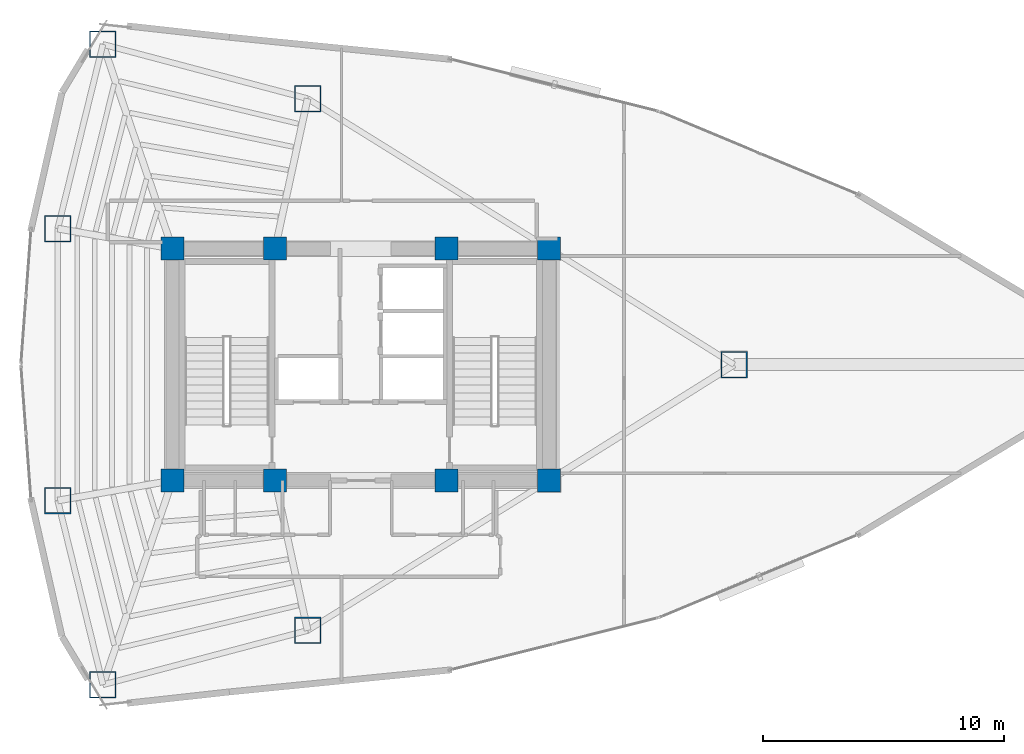
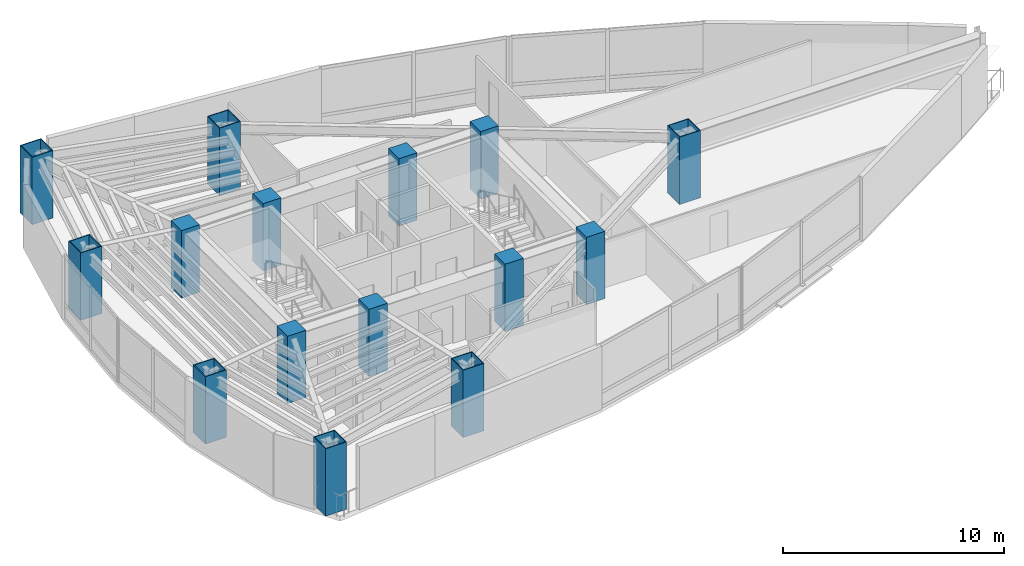
# One storey, part 1 of 17: 15 columns.
"""IFC4 building model written with IfcOpenShell, lengths in metres."""

from ifc_helpers import new_model, si_unit, direction, frame, origin, origin_2d, place, context, subcontext, project, spatial, rectangle, hollow_rectangle, extrude, material, material_profile, profile_set, type_object, element, save


model = new_model("IFC4")

# Units and contexts
model_context = context("Model", 3, precision=1e-05, world=origin(), true_north=direction((0.0, 1.0)))
body_context = subcontext(model_context, "Body", "Model", "MODEL_VIEW")
ifc_project = project(units=[si_unit("LENGTHUNIT", "METRE"), si_unit("AREAUNIT", "SQUARE_METRE"), si_unit("VOLUMEUNIT", "CUBIC_METRE"), si_unit("PLANEANGLEUNIT", "RADIAN"), si_unit("MASSUNIT", "GRAM", prefix="KILO")], contexts=[model_context])

# Site, building, storey
site_placement = place(None, origin())
site = spatial("IfcSite", under=ifc_project, at=site_placement, CompositionType="ELEMENT")
building_placement = place(site_placement, origin())
building = spatial("IfcBuilding", under=site, at=building_placement, Name="Menara Vayukalpa", CompositionType="ELEMENT")
storey_placement = place(building_placement, frame((0.0, 0.0, 154.320068359375)))
storey = spatial("IfcBuildingStorey", under=building, at=storey_placement, Name="L38", CompositionType="ELEMENT", Elevation=154.320068359375)

# Columns
ifc_material_1 = material(Name="Concrete C60/75", Category="concrete")
ifc_material_profile_1 = material_profile(ifc_material_1, rectangle(XDim=0.949951171875, YDim=0.949951171875, at=origin_2d()), Name="RC 950x950")
ifc_profile_set_1 = profile_set([ifc_material_profile_1], Name="Concrete C60/75")
column_type_1 = type_object("IfcColumnType", Name="COL-CC2", PredefinedType="COLUMN", material=ifc_profile_set_1)
for number, where, z_axis, x_axis, name in (
    (1, (17.800048828125, 17.199951171875, 0.0), (0.0, 0.0, 1.0), (1.0, 0.0, 0.0), "L38 Core Pilaster Column CC1"),
    (2, (22.050048828125, 17.199951171875, 0.0), (0.0, 0.0, 1.0), (1.0, 0.0, 0.0), "L38 Core Pilaster Column CC2"),
    (3, (29.14990234375, 17.199951171875, 0.0), (0.0, 0.0, 1.0), (1.0, 0.0, 0.0), "L38 Core Pilaster Column CC3"),
    (4, (33.39990234375, 17.199951171875, 0.0), (0.0, 0.0, 1.0), (1.0, 0.0, 0.0), "L38 Core Pilaster Column CC4"),
    (5, (17.800048828125, 26.800048828125, 0.0), (0.0, 0.0, 1.0), (1.0, 0.0, 0.0), "L38 Core Pilaster Column CC5"),
    (6, (22.050048828125, 26.800048828125, 0.0), (0.0, 0.0, 1.0), (1.0, 0.0, 0.0), "L38 Core Pilaster Column CC6"),
    (7, (29.14990234375, 26.800048828125, 0.0), (0.0, 0.0, 1.0), (1.0, 0.0, 0.0), "L38 Core Pilaster Column CC7"),
    (8, (33.39990234375, 26.800048828125, 0.0), (0.0, 0.0, 1.0), (1.0, 0.0, 0.0), "L38 Core Pilaster Column CC8"),
):
    element("IfcColumn", number, at=place(storey_placement, frame(where, z_axis=z_axis, x_axis=x_axis)), inside=storey, type_object=column_type_1, Name=name, PredefinedType="COLUMN", context=body_context, shape_type="SweptSolid", body=[
        extrude(rectangle(XDim=0.949951171875, YDim=0.949951171875, at=origin_2d()), origin(), (0.0, 0.0, 1.0), 3.719970703125),
    ])
ifc_material_2 = material(Name="Steel S460", Category="steel")
ifc_material_profile_2 = material_profile(ifc_material_2, hollow_rectangle(XDim=1.10009765625, YDim=1.10009765625, WallThickness=0.044921875, at=origin_2d()), Name="BOX 1100x1100x45")
ifc_profile_set_2 = profile_set([ifc_material_profile_2], Name="Steel S460")
column_type_2 = type_object("IfcColumnType", Name="COL-MC3", PredefinedType="COLUMN", material=ifc_profile_set_2)
for number, where, z_axis, x_axis, name in (
    (9, (41.05908203125, 22.0, 0.0), (0.0, 0.0, 1.0), (1.0, 0.0, 0.0), "L38 Perimeter Mega Column P01"),
    (10, (23.39697265625, 33.011962890625, 0.0), (0.0, 0.0, 1.0), (1.0, 0.0, 0.0), "L38 Perimeter Mega Column P03"),
    (11, (14.92041015625, 35.260498046875, 0.0), (0.0, 0.0, 1.0), (1.0, 0.0, 0.0), "L38 Perimeter Mega Column P04"),
    (12, (13.049072265625, 27.6318359375, 0.0), (0.0, 0.0, 1.0), (1.0, 0.0, 0.0), "L38 Perimeter Mega Column P05"),
    (13, (13.049072265625, 16.3681640625, 0.0), (0.0, 0.0, 1.0), (1.0, 0.0, 0.0), "L38 Perimeter Mega Column P06"),
    (14, (14.92041015625, 8.739501953125, 0.0), (0.0, 0.0, 1.0), (1.0, 0.0, 0.0), "L38 Perimeter Mega Column P07"),
    (15, (23.39697265625, 10.988037109375, 0.0), (0.0, 0.0, 1.0), (1.0, 0.0, 0.0), "L38 Perimeter Mega Column P08"),
):
    element("IfcColumn", number, at=place(storey_placement, frame(where, z_axis=z_axis, x_axis=x_axis)), inside=storey, type_object=column_type_2, Name=name, PredefinedType="COLUMN", context=body_context, shape_type="SweptSolid", body=[
        extrude(hollow_rectangle(XDim=1.10009765625, YDim=1.10009765625, WallThickness=0.044921875, at=origin_2d()), origin(), (0.0, 0.0, 1.0), 3.719970703125),
    ])

save(model, "model.ifc")
